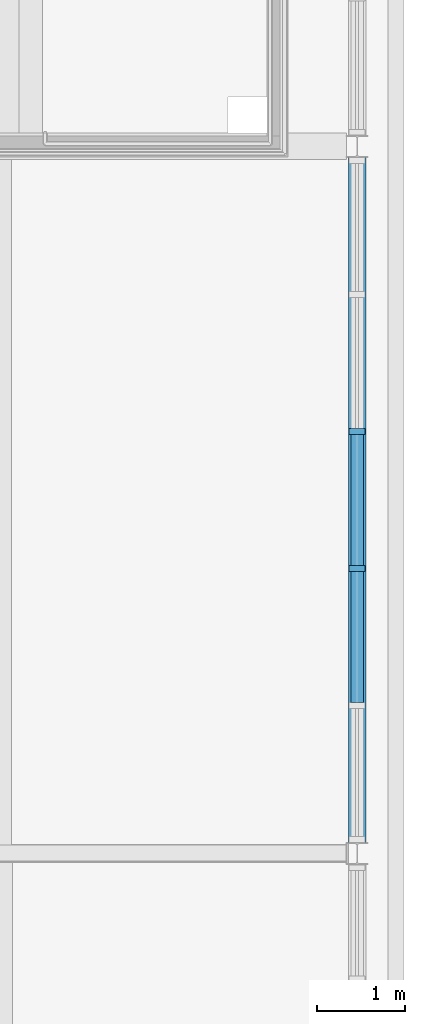
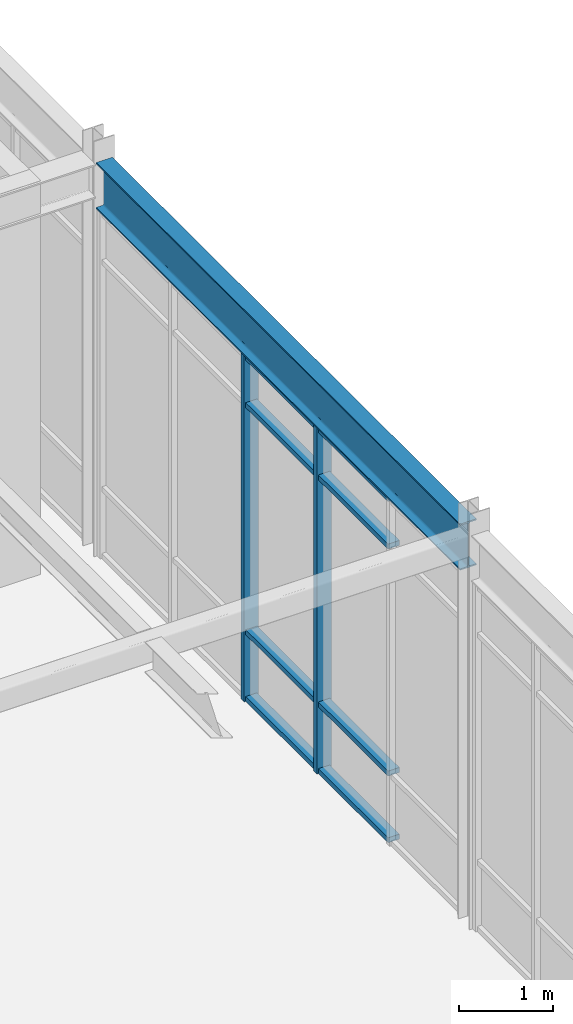
# One storey, part 77 of 184: 10 members, 1 beam, 1 element without a shape of its own.
"""IFC4 building model written with IfcOpenShell, lengths in metres."""

from ifc_helpers import new_model, si_unit, direction, frame, origin, origin_2d, place, context, subcontext, project, spatial, rectangle, i_section, extrude, material, material_profile, profile_set, type_object, element, aggregate, save


model = new_model("IFC4")

# Units and contexts
model_context = context("Model", 3, precision=1e-05, world=origin(), true_north=direction((0.0, 1.0)))
body_context = subcontext(model_context, "Body", "Model", "MODEL_VIEW")
ifc_project = project(units=[si_unit("LENGTHUNIT", "METRE"), si_unit("AREAUNIT", "SQUARE_METRE"), si_unit("VOLUMEUNIT", "CUBIC_METRE"), si_unit("PLANEANGLEUNIT", "RADIAN"), si_unit("MASSUNIT", "GRAM", prefix="KILO")], contexts=[model_context])

# Site, building, storey
site_placement = place(None, origin())
site = spatial("IfcSite", under=ifc_project, at=site_placement, CompositionType="ELEMENT")
building_placement = place(site_placement, origin())
building = spatial("IfcBuilding", under=site, at=building_placement, Name="Zhaolan Boulevard Law Courts", CompositionType="ELEMENT")
storey_placement = place(building_placement, frame((0.0, 0.0, 5.39990234375)))
storey = spatial("IfcBuildingStorey", under=building, at=storey_placement, Name="L01", CompositionType="ELEMENT", Elevation=5.39990234375)

# Curtain wall, members
ifc_material_1 = material(Name="Thermally broken aluminium and low-E glazing", Category="aluminium")
curtain_wall_type = type_object("IfcCurtainWallType", Name="CURTAIN WALL M16", PredefinedType="USERDEFINED", material=ifc_material_1)
curtain_wall_placement = place(storey_placement, origin())
curtain_wall = element("IfcCurtainWall", 1, at=curtain_wall_placement, inside=storey, type_object=curtain_wall_type, Name="Curtain Wall CW-L01-064", ObjectType="CURTAIN WALL", PredefinedType="USERDEFINED")
ifc_material_2 = material(Name="Fluorocarbon-coated aluminium 6063-T6", Category="aluminium")
ifc_material_profile_1 = material_profile(ifc_material_2, rectangle(XDim=0.179931640625, YDim=0.06494140625, at=origin_2d()), Name="AL65x180")
ifc_profile_set_1 = profile_set([ifc_material_profile_1], Name="Fluorocarbon-coated aluminium 6063-T6")
member_type_1 = type_object("IfcMemberType", Name="CWMULLION 65X180", PredefinedType="MULLION", material=ifc_profile_set_1)
member_1_placement = place(storey_placement, frame((164.0, 33.225341796875, 0.0), z_axis=(0.0, 0.0, 1.0), x_axis=(-1.0, 0.0, 0.0)))
member_1 = element("IfcMember", 2, at=member_1_placement, type_object=member_type_1, Name="CW-L01-064 mullion 3", PredefinedType="MULLION", context=body_context, shape_type="SweptSolid", body=[
    extrude(rectangle(XDim=0.179931640625, YDim=0.06494140625, at=origin_2d()), origin(), (0.0, 0.0, 1.0), 4.503173828125),
])
member_2_placement = place(storey_placement, frame((164.0, 34.774658203125, 0.0), z_axis=(0.0, 0.0, 1.0), x_axis=(-1.0, 0.0, 0.0)))
member_2 = element("IfcMember", 3, at=member_2_placement, type_object=member_type_1, Name="CW-L01-064 mullion 4", PredefinedType="MULLION", context=body_context, shape_type="SweptSolid", body=[
    extrude(rectangle(XDim=0.179931640625, YDim=0.06494140625, at=origin_2d()), origin(), (0.0, 0.0, 1.0), 4.503173828125),
])
ifc_material_3 = material(Name="Fluorocarbon-coated aluminium 6063-T6", Category="aluminium")
ifc_material_profile_2 = material_profile(ifc_material_3, rectangle(XDim=0.139892578125, YDim=0.06494140625, at=origin_2d()), Name="AL65x140")
ifc_profile_set_2 = profile_set([ifc_material_profile_2], Name="Fluorocarbon-coated aluminium 6063-T6")
member_type_2 = type_object("IfcMemberType", Name="CWTRANSOM 65X140", PredefinedType="USERDEFINED", material=ifc_profile_set_2)
member_3_placement = place(storey_placement, frame((164.0, 31.708740234375, 0.03271484375), z_axis=(0.0, 1.0, 0.0), x_axis=(-1.0, 0.0, 0.0)))
member_3 = element("IfcMember", 4, at=member_3_placement, type_object=member_type_2, Name="CW-L01-064 transom 2.1", ObjectType="TRANSOM", PredefinedType="USERDEFINED", context=body_context, shape_type="SweptSolid", body=[
    extrude(rectangle(XDim=0.139892578125, YDim=0.06494140625, at=origin_2d()), origin(), (0.0, 0.0, 1.0), 1.484130859375),
])
member_4_placement = place(storey_placement, frame((164.0, 31.708740234375, 0.900146484375), z_axis=(0.0, 1.0, 0.0), x_axis=(-1.0, 0.0, 0.0)))
member_4 = element("IfcMember", 5, at=member_4_placement, type_object=member_type_2, Name="CW-L01-064 transom 2.2", ObjectType="TRANSOM", PredefinedType="USERDEFINED", context=body_context, shape_type="SweptSolid", body=[
    extrude(rectangle(XDim=0.139892578125, YDim=0.06494140625, at=origin_2d()), origin(), (0.0, 0.0, 1.0), 1.484130859375),
])
member_5_placement = place(storey_placement, frame((164.0, 31.708740234375, 3.85302734375), z_axis=(0.0, 1.0, 0.0), x_axis=(-1.0, 0.0, 0.0)))
member_5 = element("IfcMember", 6, at=member_5_placement, type_object=member_type_2, Name="CW-L01-064 transom 2.3", ObjectType="TRANSOM", PredefinedType="USERDEFINED", context=body_context, shape_type="SweptSolid", body=[
    extrude(rectangle(XDim=0.139892578125, YDim=0.06494140625, at=origin_2d()), origin(), (0.0, 0.0, 1.0), 1.484130859375),
])
member_6_placement = place(storey_placement, frame((164.0, 31.708740234375, 4.470703125), z_axis=(0.0, 1.0, 0.0), x_axis=(-1.0, 0.0, 0.0)))
member_6 = element("IfcMember", 7, at=member_6_placement, type_object=member_type_2, Name="CW-L01-064 transom 2.4", ObjectType="TRANSOM", PredefinedType="USERDEFINED", context=body_context, shape_type="SweptSolid", body=[
    extrude(rectangle(XDim=0.139892578125, YDim=0.06494140625, at=origin_2d()), origin(), (0.0, 0.0, 1.0), 1.484130859375),
])
member_7_placement = place(storey_placement, frame((164.0, 33.2578125, 0.03271484375), z_axis=(0.0, 1.0, 0.0), x_axis=(-1.0, 0.0, 0.0)))
member_7 = element("IfcMember", 8, at=member_7_placement, type_object=member_type_2, Name="CW-L01-064 transom 3.1", ObjectType="TRANSOM", PredefinedType="USERDEFINED", context=body_context, shape_type="SweptSolid", body=[
    extrude(rectangle(XDim=0.139892578125, YDim=0.06494140625, at=origin_2d()), origin(), (0.0, 0.0, 1.0), 1.484375),
])
member_8_placement = place(storey_placement, frame((164.0, 33.2578125, 0.900146484375), z_axis=(0.0, 1.0, 0.0), x_axis=(-1.0, 0.0, 0.0)))
member_8 = element("IfcMember", 9, at=member_8_placement, type_object=member_type_2, Name="CW-L01-064 transom 3.2", ObjectType="TRANSOM", PredefinedType="USERDEFINED", context=body_context, shape_type="SweptSolid", body=[
    extrude(rectangle(XDim=0.139892578125, YDim=0.06494140625, at=origin_2d()), origin(), (0.0, 0.0, 1.0), 1.484375),
])
member_9_placement = place(storey_placement, frame((164.0, 33.2578125, 3.85302734375), z_axis=(0.0, 1.0, 0.0), x_axis=(-1.0, 0.0, 0.0)))
member_9 = element("IfcMember", 10, at=member_9_placement, type_object=member_type_2, Name="CW-L01-064 transom 3.3", ObjectType="TRANSOM", PredefinedType="USERDEFINED", context=body_context, shape_type="SweptSolid", body=[
    extrude(rectangle(XDim=0.139892578125, YDim=0.06494140625, at=origin_2d()), origin(), (0.0, 0.0, 1.0), 1.484375),
])
member_10_placement = place(storey_placement, frame((164.0, 33.2578125, 4.470703125), z_axis=(0.0, 1.0, 0.0), x_axis=(-1.0, 0.0, 0.0)))
member_10 = element("IfcMember", 11, at=member_10_placement, type_object=member_type_2, Name="CW-L01-064 transom 3.4", ObjectType="TRANSOM", PredefinedType="USERDEFINED", context=body_context, shape_type="SweptSolid", body=[
    extrude(rectangle(XDim=0.139892578125, YDim=0.06494140625, at=origin_2d()), origin(), (0.0, 0.0, 1.0), 1.484375),
])
aggregate(curtain_wall, [member_1, member_2, member_3, member_4, member_5, member_6, member_7, member_8, member_9, member_10])

# Beam
ifc_material_4 = material(Name="Structural steel Q355B", Category="steel")
ifc_material_profile_3 = material_profile(ifc_material_4, i_section(OverallWidth=0.199951171875, OverallDepth=0.60009765625, WebThickness=0.010986328125, FlangeThickness=0.01708984375, FilletRadius=0.02001953125, at=origin_2d()), Name="HN600x200")
ifc_profile_set_3 = profile_set([ifc_material_profile_3], Name="Structural steel Q355B")
beam_type = type_object("IfcBeamType", Name="GIRDER HN600", PredefinedType="BEAM", material=ifc_profile_set_3)
beam_placement = place(storey_placement, frame((164.0, 30.12109375, 4.818115234375), z_axis=(0.0, 1.0, 0.0), x_axis=(-1.0, 0.0, 0.0)))
element("IfcBeam", 12, at=beam_placement, inside=storey, type_object=beam_type, Name="Beam BY-L02-21-E-F", PredefinedType="BEAM", context=body_context, shape_type="SweptSolid", body=[
    extrude(i_section(OverallWidth=0.199951171875, OverallDepth=0.60009765625, WebThickness=0.010986328125, FlangeThickness=0.01708984375, FilletRadius=0.02001953125, at=origin_2d()), origin(), (0.0, 0.0, 1.0), 7.7578125),
])

save(model, "model.ifc")
